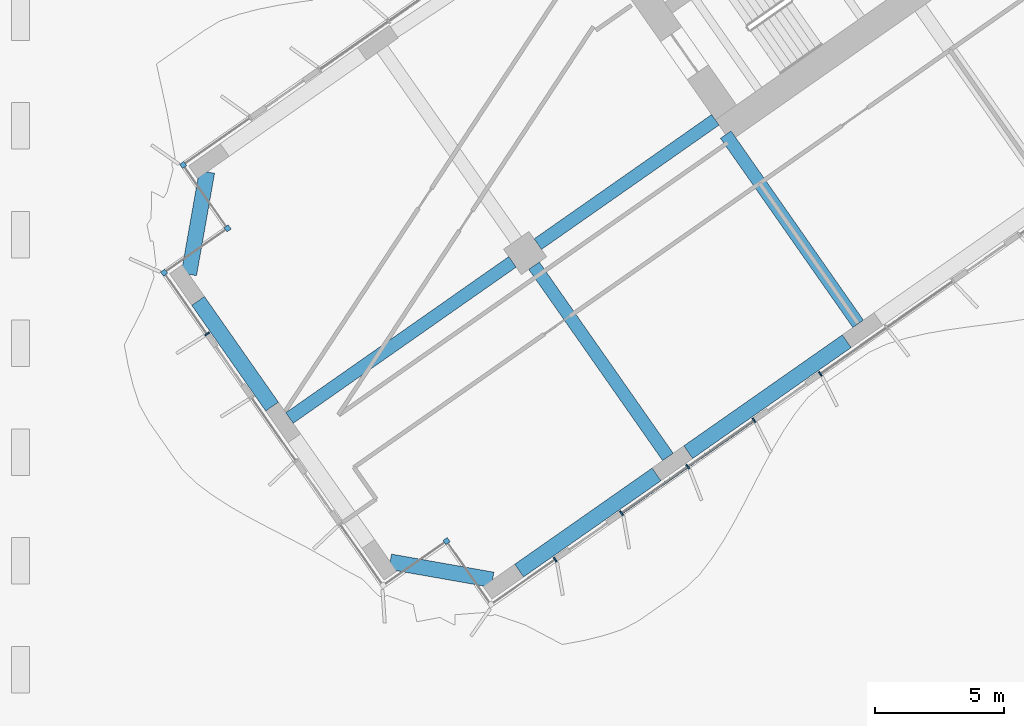
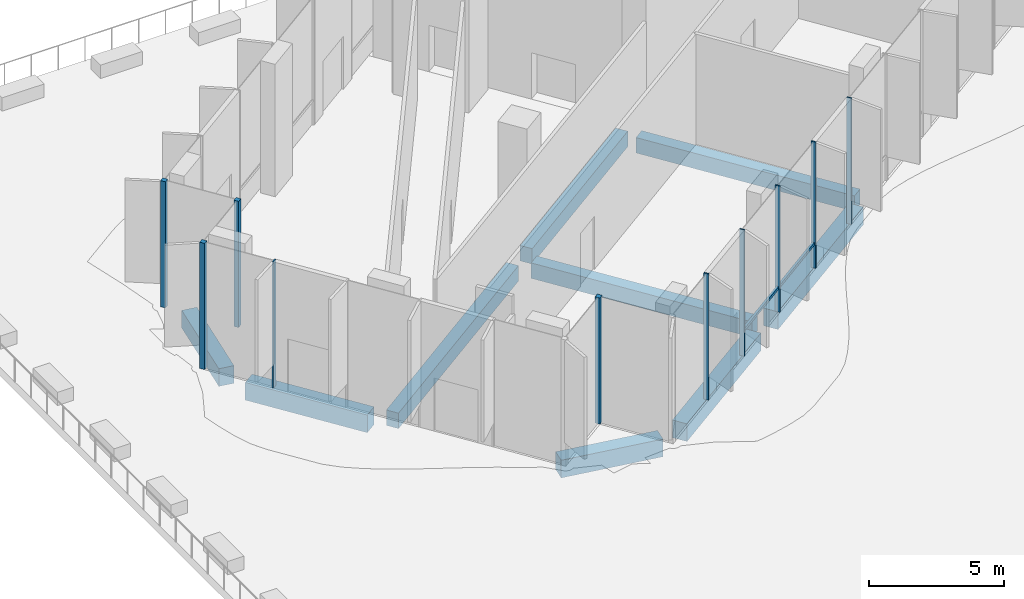
# One storey, part 3 of 27: 11 members, 9 beams, 5 elements without a shape of their own.
"""IFC4 building model written with IfcOpenShell, lengths in metres."""

from ifc_helpers import new_model, si_unit, direction, frame, origin, origin_2d, place, context, subcontext, project, spatial, rectangle, extrude, material, material_profile, profile_set, type_object, element, aggregate, save


model = new_model("IFC4")

# Units and contexts
model_context = context("Model", 3, precision=1e-05, world=origin(), true_north=direction((0.0, 1.0)))
body_context = subcontext(model_context, "Body", "Model", "MODEL_VIEW")
ifc_project = project(units=[si_unit("LENGTHUNIT", "METRE"), si_unit("AREAUNIT", "SQUARE_METRE"), si_unit("VOLUMEUNIT", "CUBIC_METRE"), si_unit("PLANEANGLEUNIT", "RADIAN"), si_unit("MASSUNIT", "GRAM", prefix="KILO")], contexts=[model_context])

# Site, building, storey
site_placement = place(None, origin())
site = spatial("IfcSite", under=ifc_project, at=site_placement, CompositionType="ELEMENT")
building_placement = place(site_placement, origin())
building = spatial("IfcBuilding", under=site, at=building_placement, Name="Tel Ilan Convention Tower", CompositionType="ELEMENT")
storey_placement = place(building_placement, frame((0.0, 0.0, 48.5)))
storey = spatial("IfcBuildingStorey", under=building, at=storey_placement, Name="L07", CompositionType="ELEMENT", Elevation=48.5)

# Beams
ifc_material_1 = material(Name="Concrete C40/50", Category="concrete")
ifc_material_profile_1 = material_profile(ifc_material_1, rectangle(XDim=0.5, YDim=0.699951171875, at=origin_2d()), Name="RC 500x700")
ifc_profile_set_1 = profile_set([ifc_material_profile_1], Name="Concrete C40/50")
beam_type_1 = type_object("IfcBeamType", Name="Beam RC 500x700 Concrete C40/50", PredefinedType="BEAM", material=ifc_profile_set_1)
beam_1_placement = place(storey_placement, frame((-16.58203125, -23.391357421875, -0.6298828125), z_axis=(-0.573584999642, 0.819146048141, 0.0), x_axis=(-0.819146048141, -0.573584999642, 0.0)))
element("IfcBeam", 1, at=beam_1_placement, inside=storey, type_object=beam_type_1, Name="L07 beam W-W-F3-core", PredefinedType="BEAM", context=body_context, shape_type="SweptSolid", body=[
    extrude(rectangle(XDim=0.5, YDim=0.699951171875, at=origin_2d()), origin(), (0.0, 0.0, 1.0), 8.949951171875),
])
beam_2_placement = place(storey_placement, frame((-22.1171875, -15.486572265625, -0.6298828125), z_axis=(-0.819147254605, -0.573583276668, 0.0), x_axis=(0.573583276668, -0.819147254605, 0.0)))
element("IfcBeam", 2, at=beam_2_placement, inside=storey, type_object=beam_type_1, Name="L07 beam W-core-W-M4", PredefinedType="BEAM", context=body_context, shape_type="SweptSolid", body=[
    extrude(rectangle(XDim=0.5, YDim=0.699951171875, at=origin_2d()), origin(), (0.0, 0.0, 1.0), 8.400146484375),
])
beam_3_placement = place(storey_placement, frame((-29.98095703125, -20.992919921875, -0.6298828125), z_axis=(-0.819151461915, -0.573577268067, 0.0), x_axis=(0.573577268067, -0.819151461915, 0.0)))
element("IfcBeam", 3, at=beam_3_placement, inside=storey, type_object=beam_type_1, Name="L07 beam W-W-M4-end", PredefinedType="BEAM", context=body_context, shape_type="SweptSolid", body=[
    extrude(rectangle(XDim=0.5, YDim=0.699951171875, at=origin_2d()), origin(), (0.0, 0.0, 1.0), 10.550048828125),
])
beam_4_placement = place(storey_placement, frame((-29.145263671875, -21.14013671875, -0.6298828125), z_axis=(0.573549245583, -0.819171082798, 0.0), x_axis=(0.819171082798, 0.573549245583, 0.0)))
element("IfcBeam", 4, at=beam_4_placement, inside=storey, type_object=beam_type_1, Name="L07 beam W-W-M4-W-F4", PredefinedType="BEAM", context=body_context, shape_type="SweptSolid", body=[
    extrude(rectangle(XDim=0.5, YDim=0.699951171875, at=origin_2d()), origin(), (0.0, 0.0, 1.0), 9.050048828125),
])
ifc_material_2 = material(Name="Concrete C40/50", Category="concrete")
ifc_material_profile_2 = material_profile(ifc_material_2, rectangle(XDim=0.60009765625, YDim=0.800048828125, at=origin_2d()), Name="RC 600x800")
ifc_profile_set_2 = profile_set([ifc_material_profile_2], Name="Concrete C40/50")
beam_type_2 = type_object("IfcBeamType", Name="Beam RC 600x800 Concrete C40/50", PredefinedType="BEAM", material=ifc_profile_set_2)
beam_5_placement = place(storey_placement, frame((-17.0244140625, -24.0673828125, -0.679931640625), z_axis=(-0.81915238829, -0.573575945067, 0.0), x_axis=(0.573575945067, -0.81915238829, 0.0)))
element("IfcBeam", 5, at=beam_5_placement, inside=storey, type_object=beam_type_2, Name="L07 beam W-W-F3-W-F4", PredefinedType="BEAM", context=body_context, shape_type="SweptSolid", body=[
    extrude(rectangle(XDim=0.60009765625, YDim=0.800048828125, at=origin_2d()), origin(), (0.0, 0.0, 1.0), 7.5),
])
beam_6_placement = place(storey_placement, frame((-24.396728515625, -29.2294921875, -0.679931640625), z_axis=(-0.819148977158, -0.573580816643, 0.0), x_axis=(0.573580816643, -0.819148977158, 0.0)))
element("IfcBeam", 6, at=beam_6_placement, inside=storey, type_object=beam_type_2, Name="L07 beam W-W-F4-W-FC", PredefinedType="BEAM", context=body_context, shape_type="SweptSolid", body=[
    extrude(rectangle(XDim=0.60009765625, YDim=0.800048828125, at=origin_2d()), origin(), (0.0, 0.0, 1.0), 6.5),
])
beam_7_placement = place(storey_placement, frame((-30.75341796875, -33.314208984375, -0.679931640625), z_axis=(-0.984815252405, 0.173605641124, 0.0), x_axis=(-0.173605641124, -0.984815252405, 0.0)))
element("IfcBeam", 7, at=beam_7_placement, inside=storey, type_object=beam_type_2, Name="L07 beam W-W-FC-W-E1", PredefinedType="BEAM", context=body_context, shape_type="SweptSolid", body=[
    extrude(rectangle(XDim=0.60009765625, YDim=0.800048828125, at=origin_2d()), origin(), (0.0, 0.0, 1.0), 4.030517578125),
])
beam_8_placement = place(storey_placement, frame((-39.298828125, -26.601806640625, -0.679931640625), z_axis=(-0.573586866468, 0.819144740944, 0.0), x_axis=(-0.819144740944, -0.573586866468, 0.0)))
element("IfcBeam", 8, at=beam_8_placement, inside=storey, type_object=beam_type_2, Name="L07 beam W-W-E2-W-E3", PredefinedType="BEAM", context=body_context, shape_type="SweptSolid", body=[
    extrude(rectangle(XDim=0.60009765625, YDim=0.800048828125, at=origin_2d()), origin(), (0.0, 0.0, 1.0), 5.0),
])
beam_9_placement = place(storey_placement, frame((-42.523193359375, -21.473876953125, -0.679931640625), z_axis=(0.173605641124, 0.984815252405, 0.0), x_axis=(-0.984815252405, 0.173605641124, 0.0)))
element("IfcBeam", 9, at=beam_9_placement, inside=storey, type_object=beam_type_2, Name="L07 beam W-W-E3-W-BC", PredefinedType="BEAM", context=body_context, shape_type="SweptSolid", body=[
    extrude(rectangle(XDim=0.60009765625, YDim=0.800048828125, at=origin_2d()), origin(), (0.0, 0.0, 1.0), 4.030517578125),
])

# Curtain wall, members
ifc_material_3 = material(Name="Aluminium, bronze anodised", Category="aluminium")
curtain_wall_type = type_object("IfcCurtainWallType", Name="CW1 UNITISED CURTAIN WALL, HOTEL TINTED GLASS", PredefinedType="NOTDEFINED", material=ifc_material_3)
curtain_wall_1_placement = place(storey_placement, origin())
curtain_wall_1 = element("IfcCurtainWall", 10, at=curtain_wall_1_placement, inside=storey, type_object=curtain_wall_type, Name="Curtain wall CW1-10.28", PredefinedType="NOTDEFINED")
ifc_material_4 = material(Name="Aluminium, bronze anodised", Category="aluminium")
ifc_material_profile_3 = material_profile(ifc_material_4, rectangle(XDim=0.199951171875, YDim=0.199951171875, at=origin_2d()), Name="CW CORNER MULLION 200x200")
ifc_profile_set_3 = profile_set([ifc_material_profile_3], Name="Aluminium, bronze anodised")
member_type_1 = type_object("IfcMemberType", Name="CW CORNER MULLION 200x200", PredefinedType="MULLION", material=ifc_profile_set_3)
member_1_placement = place(storey_placement, frame((-42.7451171875, -17.234375, 0.0), z_axis=(0.0, 0.0, 1.0), x_axis=(-0.819152044289, -0.573576436351, 0.0)))
member_1 = element("IfcMember", 11, at=member_1_placement, type_object=member_type_1, Name="Corner mullion", PredefinedType="MULLION", context=body_context, shape_type="SweptSolid", body=[
    extrude(rectangle(XDim=0.199951171875, YDim=0.199951171875, at=origin_2d()), origin(), (0.0, 0.0, 1.0), 5.719970703125),
])
member_2_placement = place(storey_placement, frame((-41.0244140625, -19.69189453125, 0.0), z_axis=(0.0, 0.0, 1.0), x_axis=(0.573576436351, -0.819152044289, 0.0)))
member_2 = element("IfcMember", 12, at=member_2_placement, type_object=member_type_1, Name="Corner mullion", PredefinedType="MULLION", context=body_context, shape_type="SweptSolid", body=[
    extrude(rectangle(XDim=0.199951171875, YDim=0.199951171875, at=origin_2d()), origin(), (0.0, 0.0, 1.0), 5.719970703125),
])
member_3_placement = place(storey_placement, frame((-43.48193359375, -21.41259765625, 0.0), z_axis=(0.0, 0.0, 1.0), x_axis=(-0.819152044289, -0.573576436351, 0.0)))
member_3 = element("IfcMember", 13, at=member_3_placement, type_object=member_type_1, Name="Corner mullion", PredefinedType="MULLION", context=body_context, shape_type="SweptSolid", body=[
    extrude(rectangle(XDim=0.199951171875, YDim=0.199951171875, at=origin_2d()), origin(), (0.0, 0.0, 1.0), 5.719970703125),
])

# Curtain wall, member
curtain_wall_2_placement = place(storey_placement, origin())
curtain_wall_2 = element("IfcCurtainWall", 14, at=curtain_wall_2_placement, inside=storey, type_object=curtain_wall_type, Name="Curtain wall CW1-10.32", PredefinedType="NOTDEFINED")
member_4_placement = place(storey_placement, frame((-32.535400390625, -31.815185546875, 0.0), z_axis=(0.0, 0.0, 1.0), x_axis=(0.819152044289, 0.573576436351, 0.0)))
member_4 = element("IfcMember", 15, at=member_4_placement, type_object=member_type_1, Name="Corner mullion", PredefinedType="MULLION", context=body_context, shape_type="SweptSolid", body=[
    extrude(rectangle(XDim=0.199951171875, YDim=0.199951171875, at=origin_2d()), origin(), (0.0, 0.0, 1.0), 5.719970703125),
])
aggregate(curtain_wall_2, [member_4])

# Curtain wall, members
curtain_wall_3_placement = place(storey_placement, origin())
curtain_wall_3 = element("IfcCurtainWall", 16, at=curtain_wall_3_placement, inside=storey, type_object=curtain_wall_type, Name="Curtain wall CW1-10.01", PredefinedType="NOTDEFINED")
ifc_material_5 = material(Name="Aluminium, bronze anodised", Category="aluminium")
ifc_material_profile_4 = material_profile(ifc_material_5, rectangle(XDim=0.06005859375, YDim=0.199951171875, at=origin_2d()), Name="CW MULLION 60x200")
ifc_profile_set_4 = profile_set([ifc_material_profile_4], Name="Aluminium, bronze anodised")
member_type_2 = type_object("IfcMemberType", Name="CW MULLION 60x200", PredefinedType="MULLION", material=ifc_profile_set_4)
member_5_placement = place(storey_placement, frame((-28.32666015625, -32.530517578125, 0.0), z_axis=(0.0, 0.0, 1.0), x_axis=(0.819152044289, 0.573576436351, 0.0)))
member_5 = element("IfcMember", 17, at=member_5_placement, type_object=member_type_2, Name="Mullion", PredefinedType="MULLION", context=body_context, shape_type="SweptSolid", body=[
    extrude(rectangle(XDim=0.06005859375, YDim=0.199951171875, at=origin_2d()), origin(), (0.0, 0.0, 1.0), 5.719970703125),
])
member_6_placement = place(storey_placement, frame((-25.7568359375, -30.731201171875, 0.0), z_axis=(0.0, 0.0, 1.0), x_axis=(0.819152044289, 0.573576436351, 0.0)))
member_6 = element("IfcMember", 18, at=member_6_placement, type_object=member_type_2, Name="Mullion", PredefinedType="MULLION", context=body_context, shape_type="SweptSolid", body=[
    extrude(rectangle(XDim=0.06005859375, YDim=0.199951171875, at=origin_2d()), origin(), (0.0, 0.0, 1.0), 5.719970703125),
])
aggregate(curtain_wall_3, [member_5, member_6])

curtain_wall_4_placement = place(storey_placement, origin())
curtain_wall_4 = element("IfcCurtainWall", 19, at=curtain_wall_4_placement, inside=storey, type_object=curtain_wall_type, Name="Curtain wall CW1-10.02", PredefinedType="NOTDEFINED")
member_7_placement = place(storey_placement, frame((-23.186767578125, -28.931640625, 0.0), z_axis=(0.0, 0.0, 1.0), x_axis=(0.819152044289, 0.573576436351, 0.0)))
member_7 = element("IfcMember", 20, at=member_7_placement, type_object=member_type_2, Name="Mullion", PredefinedType="MULLION", context=body_context, shape_type="SweptSolid", body=[
    extrude(rectangle(XDim=0.06005859375, YDim=0.199951171875, at=origin_2d()), origin(), (0.0, 0.0, 1.0), 5.719970703125),
])
member_8_placement = place(storey_placement, frame((-20.616943359375, -27.132080078125, 0.0), z_axis=(0.0, 0.0, 1.0), x_axis=(0.819152044289, 0.573576436351, 0.0)))
member_8 = element("IfcMember", 21, at=member_8_placement, type_object=member_type_2, Name="Mullion", PredefinedType="MULLION", context=body_context, shape_type="SweptSolid", body=[
    extrude(rectangle(XDim=0.06005859375, YDim=0.199951171875, at=origin_2d()), origin(), (0.0, 0.0, 1.0), 5.719970703125),
])

# Curtain wall, member
curtain_wall_5_placement = place(storey_placement, origin())
curtain_wall_5 = element("IfcCurtainWall", 22, at=curtain_wall_5_placement, inside=storey, type_object=curtain_wall_type, Name="Curtain wall CW1-10.03", PredefinedType="NOTDEFINED")
member_9_placement = place(storey_placement, frame((-18.046875, -25.332763671875, 0.0), z_axis=(0.0, 0.0, 1.0), x_axis=(0.819152044289, 0.573576436351, 0.0)))
member_9 = element("IfcMember", 23, at=member_9_placement, type_object=member_type_2, Name="Mullion", PredefinedType="MULLION", context=body_context, shape_type="SweptSolid", body=[
    extrude(rectangle(XDim=0.06005859375, YDim=0.199951171875, at=origin_2d()), origin(), (0.0, 0.0, 1.0), 5.719970703125),
])
aggregate(curtain_wall_5, [member_9])

# Member
member_10_placement = place(storey_placement, frame((-41.818359375, -23.7880859375, 0.0), z_axis=(0.0, 0.0, 1.0), x_axis=(0.573576436351, -0.819152044289, 0.0)))
member_10 = element("IfcMember", 24, at=member_10_placement, type_object=member_type_2, Name="Mullion", PredefinedType="MULLION", context=body_context, shape_type="SweptSolid", body=[
    extrude(rectangle(XDim=0.06005859375, YDim=0.199951171875, at=origin_2d()), origin(), (0.0, 0.0, 1.0), 5.719970703125),
])

aggregate(curtain_wall_1, [member_1, member_2, member_3, member_10])

ifc_material_6 = material(Name="Aluminium, bronze anodised", Category="aluminium")
ifc_material_profile_5 = material_profile(ifc_material_6, rectangle(XDim=0.10009765625, YDim=0.1201171875, at=origin_2d()), Name="CW TRANSOM 100x120")
ifc_profile_set_5 = profile_set([ifc_material_profile_5], Name="Aluminium, bronze anodised")
member_type_3 = type_object("IfcMemberType", Name="CW TRANSOM 100x120", PredefinedType="USERDEFINED", material=ifc_profile_set_5)
member_11_placement = place(storey_placement, frame((-25.732177734375, -30.7138671875, 1.10009765625), z_axis=(0.819165473709, 0.573557256673, 0.0), x_axis=(-0.573557256673, 0.819165473709, 0.0)))
member_11 = element("IfcMember", 25, at=member_11_placement, type_object=member_type_3, Name="Transom", ObjectType="TRANSOM", PredefinedType="USERDEFINED", context=body_context, shape_type="SweptSolid", body=[
    extrude(rectangle(XDim=0.10009765625, YDim=0.1201171875, at=origin_2d()), origin(), (0.0, 0.0, 1.0), 6.214599609375),
])

aggregate(curtain_wall_4, [member_7, member_8, member_11])

save(model, "model.ifc")
